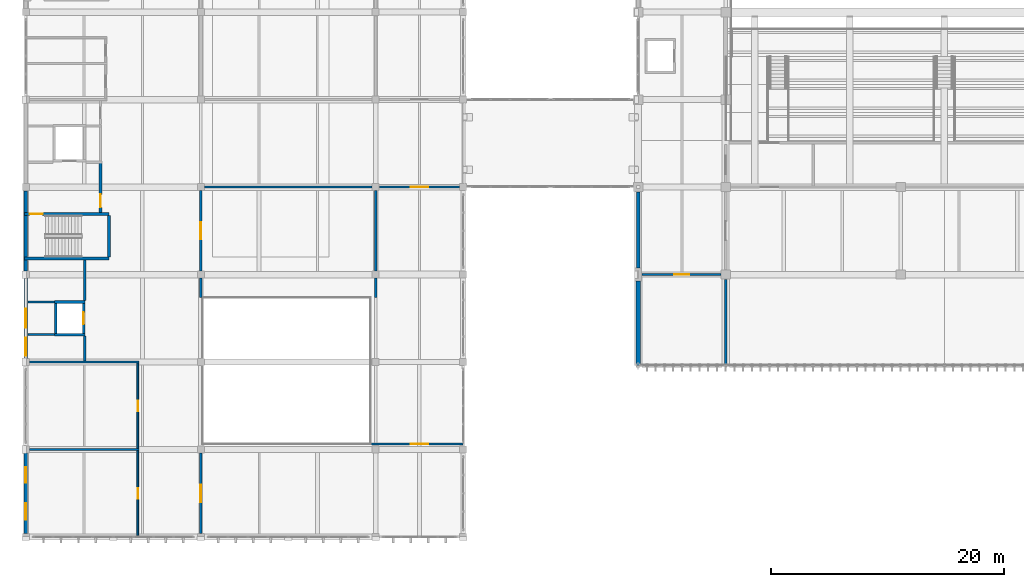
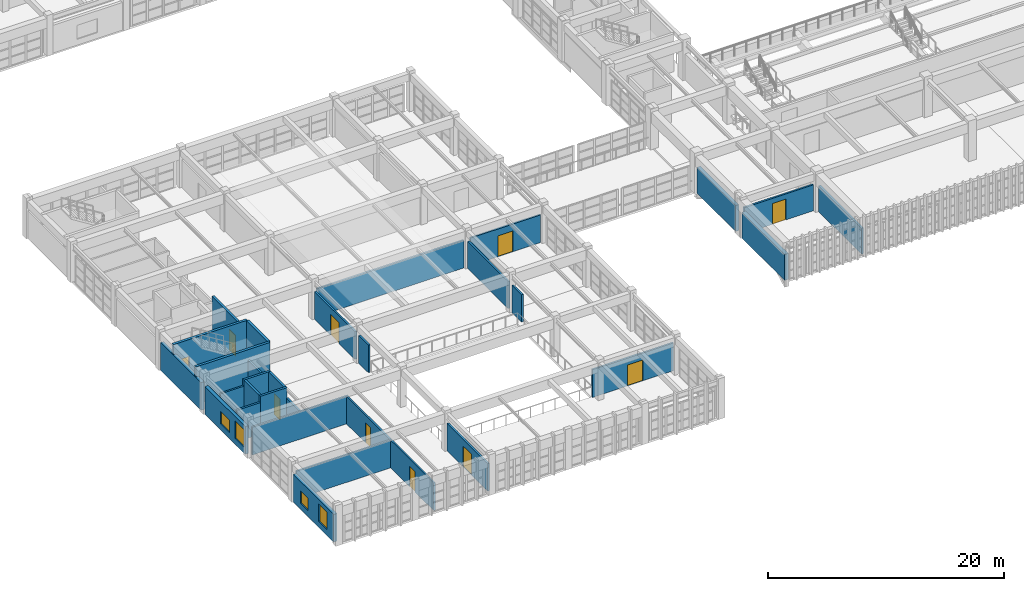
# One storey, part 92 of 124: 31 walls, 10 doors, 4 windows, 14 openings.
"""IFC4 building model written with IfcOpenShell, lengths in metres."""

from ifc_helpers import new_model, si_unit, direction, frame, frame_2d, origin, place, context, subcontext, project, spatial, rectangle, extrude, material, layer, layer_set, type_object, element, fill, save


model = new_model("IFC4")

# Units and contexts
model_context = context("Model", 3, precision=1e-05, world=origin(), true_north=direction((0.0, 1.0)))
body_context = subcontext(model_context, "Body", "Model", "MODEL_VIEW")
ifc_project = project(units=[si_unit("LENGTHUNIT", "METRE"), si_unit("AREAUNIT", "SQUARE_METRE"), si_unit("VOLUMEUNIT", "CUBIC_METRE"), si_unit("PLANEANGLEUNIT", "RADIAN"), si_unit("MASSUNIT", "GRAM", prefix="KILO")], contexts=[model_context])

# Site, building, storey
site_placement = place(None, origin())
site = spatial("IfcSite", under=ifc_project, at=site_placement, CompositionType="ELEMENT")
building_placement = place(site_placement, origin())
building = spatial("IfcBuilding", under=site, at=building_placement, Name="Qasida Concert Hall", CompositionType="ELEMENT")
storey_placement = place(building_placement, frame((0.0, 0.0, 9.0)))
storey = spatial("IfcBuildingStorey", under=building, at=storey_placement, Name="L02", CompositionType="ELEMENT", Elevation=9.0)

# Walls
ifc_material_1 = material(Name="Concrete C40/50", Category="concrete")
ifc_layer_1 = layer(ifc_material_1, 0.219970703125, Name="Concrete C40/50")
ifc_layer_set_1 = layer_set([ifc_layer_1], Name="Concrete C40/50")
wall_type_1 = type_object("IfcWallType", Name="WL-CW-220", PredefinedType="SOLIDWALL", material=ifc_layer_set_1)
for number, where, z_axis, x_axis, name in (
    (1, (2.43994140625, 17.35009765625, 0.0), (0.0, 0.0, 1.0), (1.0, 0.0, 0.0), "L02 LF-05 lift shaft wall S"),
    (2, (2.43994140625, 20.14990234375, 0.0), (0.0, 0.0, 1.0), (1.0, 0.0, 0.0), "L02 LF-05 lift shaft wall N"),
):
    element("IfcWall", number, at=place(storey_placement, frame(where, z_axis=z_axis, x_axis=x_axis)), inside=storey, type_object=wall_type_1, Name=name, PredefinedType="SOLIDWALL", context=body_context, shape_type="SweptSolid", body=[
        extrude(rectangle(XDim=2.6201171875, YDim=0.219970703125, at=frame_2d((1.31005859375, 0.0))), origin(), (0.0, 0.0, 1.0), 3.919921875),
    ])
wall_1_placement = place(storey_placement, frame((2.550048828125, 17.4599609375, 0.0), z_axis=(0.0, 0.0, 1.0), x_axis=(0.0, 1.0, 0.0)))
element("IfcWall", 3, at=wall_1_placement, inside=storey, type_object=wall_type_1, Name="L02 LF-05 lift shaft wall W", PredefinedType="SOLIDWALL", context=body_context, shape_type="SweptSolid", body=[
    extrude(rectangle(XDim=2.580078125, YDim=0.219970703125, at=frame_2d((1.2900390625, 0.0))), origin(), (0.0, 0.0, 1.0), 3.919921875),
])

# Wall, opening, door
wall_2_placement = place(storey_placement, frame((4.949951171875, 17.4599609375, 0.0), z_axis=(0.0, 0.0, 1.0), x_axis=(0.0, 1.0, 0.0)))
wall_2 = element("IfcWall", 4, at=wall_2_placement, inside=storey, type_object=wall_type_1, Name="L02 LF-05 lift shaft wall E", PredefinedType="SOLIDWALL", context=body_context, shape_type="SweptSolid", body=[
    extrude(rectangle(XDim=2.580078125, YDim=0.219970703125, at=frame_2d((1.2900390625, 0.0))), origin(), (0.0, 0.0, 1.0), 3.919921875),
])
opening_1_placement = place(wall_2_placement, frame((0.7900390625, 0.0, 0.0)))
opening_1 = element("IfcOpeningElement", 5, at=opening_1_placement, cuts=wall_2, Name="Opening LD-100", PredefinedType="OPENING", context=body_context, shape_type="SweptSolid", body=[
    extrude(rectangle(XDim=1.0, YDim=2.14990234375, at=frame_2d((0.5, 1.074951171875))), frame((0.0, 0.119873046875, 0.0), z_axis=(0.0, -1.0, 0.0), x_axis=(1.0, 0.0, 0.0)), (0.0, 0.0, 1.0), 0.239990234375),
])
ifc_material_2 = material(Name="Brushed bronze passenger lift landing door", Category="steel")
door_type_1 = type_object("IfcDoorType", Name="LD-100", OperationType="SLIDING_TO_LEFT", PredefinedType="DOOR", material=ifc_material_2)
door_1_placement = place(opening_1_placement, origin())
door_1 = element("IfcDoor", 6, at=door_1_placement, inside=storey, type_object=door_type_1, Name="Lift landing door LF-05 L02", OperationType="SLIDING_TO_LEFT", OverallHeight=2.14990234375, OverallWidth=1.0, PredefinedType="DOOR", context=body_context, shape_type="SweptSolid", body=[
    extrude(rectangle(XDim=1.0, YDim=2.14990234375, at=frame_2d((0.5, 1.074951171875))), frame((0.0, 0.02490234375, 0.0), z_axis=(0.0, -1.0, 0.0), x_axis=(1.0, 0.0, 0.0)), (0.0, 0.0, 1.0), 0.050048828125),
])
fill(opening_1, door_1)

wall_3_placement = place(storey_placement, frame((6.39990234375, 27.820068359375, 0.0), z_axis=(0.0, 0.0, 1.0), x_axis=(0.0, 1.0, 0.0)))
wall_3 = element("IfcWall", 7, at=wall_3_placement, inside=storey, type_object=wall_type_1, Name="L02 LF-06 firefighting lobby wall", PredefinedType="SOLIDWALL", context=body_context, shape_type="SweptSolid", body=[
    extrude(rectangle(XDim=4.309814453125, YDim=0.219970703125, at=frame_2d((2.15478515625, 0.0))), origin(), (0.0, 0.0, 1.0), 3.919921875),
])
opening_2_placement = place(wall_3_placement, frame((0.449951171875, 0.0, 0.0)))
opening_2 = element("IfcOpeningElement", 8, at=opening_2_placement, cuts=wall_3, Name="Opening FD-110", PredefinedType="OPENING", context=body_context, shape_type="SweptSolid", body=[
    extrude(rectangle(XDim=1.10009765625, YDim=2.14990234375, at=frame_2d((0.550048828125, 1.074951171875))), frame((0.0, 0.119873046875, 0.0), z_axis=(0.0, -1.0, 0.0), x_axis=(1.0, 0.0, 0.0)), (0.0, 0.0, 1.0), 0.239990234375),
])
ifc_material_3 = material(Name="Steel fire-rated stair/lobby door set", Category="steel")
door_type_2 = type_object("IfcDoorType", Name="FD-110", OperationType="NOTDEFINED", PredefinedType="DOOR", material=ifc_material_3)
door_2_placement = place(opening_2_placement, origin())
door_2 = element("IfcDoor", 9, at=door_2_placement, inside=storey, type_object=door_type_2, Name="L02 LF-06 firefighting lobby fire door", OperationType="SINGLE_SWING_RIGHT", OverallHeight=2.14990234375, OverallWidth=1.10009765625, PredefinedType="DOOR", context=body_context, shape_type="SweptSolid", body=[
    extrude(rectangle(XDim=1.10009765625, YDim=2.14990234375, at=frame_2d((0.550048828125, 1.074951171875))), frame((0.0, 0.02490234375, 0.0), z_axis=(0.0, -1.0, 0.0), x_axis=(1.0, 0.0, 0.0)), (0.0, 0.0, 1.0), 0.050048828125),
])
fill(opening_2, door_2)

# Wall
ifc_layer_2 = layer(ifc_material_1, 0.25, Name="Concrete C40/50")
ifc_layer_set_2 = layer_set([ifc_layer_2], Name="Concrete C40/50")
wall_type_2 = type_object("IfcWallType", Name="WL-CW-250", PredefinedType="SOLIDWALL", material=ifc_layer_set_2)
wall_4_placement = place(storey_placement, frame((-0.1201171875, 23.875, 0.0), z_axis=(0.0, 0.0, 1.0), x_axis=(1.0, 0.0, 0.0)))
element("IfcWall", 10, at=wall_4_placement, inside=storey, type_object=wall_type_2, Name="L02 ST-03 stairwell wall S", PredefinedType="SOLIDWALL", context=body_context, shape_type="SweptSolid", body=[
    extrude(rectangle(XDim=7.260009765625, YDim=0.25, at=frame_2d((3.6298828125, 0.0))), origin(), (0.0, 0.0, 1.0), 3.919921875),
])

# Wall, opening, door
wall_5_placement = place(storey_placement, frame((-0.1201171875, 27.68505859375, 0.0), z_axis=(0.0, 0.0, 1.0), x_axis=(1.0, 0.0, 0.0)))
wall_5 = element("IfcWall", 11, at=wall_5_placement, inside=storey, type_object=wall_type_2, Name="L02 ST-03 stairwell wall N", PredefinedType="SOLIDWALL", context=body_context, shape_type="SweptSolid", body=[
    extrude(rectangle(XDim=7.260009765625, YDim=0.25, at=frame_2d((3.6298828125, 0.0))), origin(), (0.0, 0.0, 1.0), 3.919921875),
])
opening_3_placement = place(wall_5_placement, frame((0.449951171875, 0.0, 0.0)))
opening_3 = element("IfcOpeningElement", 12, at=opening_3_placement, cuts=wall_5, Name="Opening FD-110", PredefinedType="OPENING", context=body_context, shape_type="SweptSolid", body=[
    extrude(rectangle(XDim=1.10009765625, YDim=2.14990234375, at=frame_2d((0.550048828125, 1.074951171875))), frame((0.0, 0.135009765625, 0.0), z_axis=(0.0, -1.0, 0.0), x_axis=(1.0, 0.0, 0.0)), (0.0, 0.0, 1.0), 0.27001953125),
])
door_3_placement = place(opening_3_placement, origin())
door_3 = element("IfcDoor", 13, at=door_3_placement, inside=storey, type_object=door_type_2, Name="L02 ST-03 rated stair door", OperationType="SINGLE_SWING_RIGHT", OverallHeight=2.14990234375, OverallWidth=1.10009765625, PredefinedType="DOOR", context=body_context, shape_type="SweptSolid", body=[
    extrude(rectangle(XDim=1.10009765625, YDim=2.14990234375, at=frame_2d((0.550048828125, 1.074951171875))), frame((0.0, 0.02490234375, 0.0), z_axis=(0.0, -1.0, 0.0), x_axis=(1.0, 0.0, 0.0)), (0.0, 0.0, 1.0), 0.050048828125),
])
fill(opening_3, door_3)

# Walls
wall_6_placement = place(storey_placement, frame((7.14501953125, 24.0, 0.0), z_axis=(0.0, 0.0, 1.0), x_axis=(0.0, 1.0, 0.0)))
element("IfcWall", 14, at=wall_6_placement, inside=storey, type_object=wall_type_2, Name="L02 ST-03 stairwell wall E", PredefinedType="SOLIDWALL", context=body_context, shape_type="SweptSolid", body=[
    extrude(rectangle(XDim=3.56005859375, YDim=0.25, at=frame_2d((1.780029296875, 0.0))), origin(), (0.0, 0.0, 1.0), 3.919921875),
])
ifc_material_4 = material(Name="Precast concrete C40/50", Category="concrete")
ifc_layer_3 = layer(ifc_material_4, 0.320068359375, Name="Precast concrete C40/50")
ifc_layer_set_3 = layer_set([ifc_layer_3], Name="Precast concrete C40/50")
wall_type_3 = type_object("IfcWallType", Name="WL-EW-320", PredefinedType="SOLIDWALL", material=ifc_layer_set_3)
wall_7_placement = place(storey_placement, frame((52.5, 23.06494140625, 0.0), z_axis=(0.0, 0.0, 1.0), x_axis=(0.0, 1.0, 0.0)))
element("IfcWall", 15, at=wall_7_placement, inside=storey, type_object=wall_type_3, Name="L02 exterior wall EW-320 0046", PredefinedType="SOLIDWALL", context=body_context, shape_type="SweptSolid", body=[
    extrude(rectangle(XDim=6.530029296875, YDim=0.320068359375, at=frame_2d((3.26513671875, 0.0))), origin(), (0.0, 0.0, 1.0), 2.68994140625),
])

# Wall, openings, windows
wall_8_placement = place(storey_placement, frame((0.0, 0.31494140625, 0.0), z_axis=(0.0, 0.0, 1.0), x_axis=(0.0, 1.0, 0.0)))
wall_8 = element("IfcWall", 16, at=wall_8_placement, inside=storey, type_object=wall_type_3, Name="L02 exterior wall EW-320 0128", PredefinedType="SOLIDWALL", context=body_context, shape_type="SweptSolid", body=[
    extrude(rectangle(XDim=6.8701171875, YDim=0.320068359375, at=frame_2d((3.43505859375, 0.0))), origin(), (0.0, 0.0, 1.0), 2.8701171875),
])
opening_4_placement = place(wall_8_placement, frame((1.169921875, 0.0, 0.60009765625)))
opening_4 = element("IfcOpeningElement", 17, at=opening_4_placement, cuts=wall_8, Name="Opening WN-03", PredefinedType="OPENING", context=body_context, shape_type="SweptSolid", body=[
    extrude(rectangle(XDim=1.39990234375, YDim=1.800048828125, at=frame_2d((0.699951171875, 0.89990234375))), frame((0.0, 0.169921875, 0.0), z_axis=(0.0, -1.0, 0.0), x_axis=(1.0, 0.0, 0.0)), (0.0, 0.0, 1.0), 0.340087890625),
])
opening_5_placement = place(wall_8_placement, frame((4.35009765625, 0.0, 0.60009765625)))
opening_5 = element("IfcOpeningElement", 18, at=opening_5_placement, cuts=wall_8, Name="Opening WN-10", PredefinedType="OPENING", context=body_context, shape_type="SweptSolid", body=[
    extrude(rectangle(XDim=1.300048828125, YDim=1.300048828125, at=frame_2d((0.64990234375, 0.64990234375))), frame((0.0, 0.169921875, 0.0), z_axis=(0.0, -1.0, 0.0), x_axis=(1.0, 0.0, 0.0)), (0.0, 0.0, 1.0), 0.340087890625),
])
ifc_material_5 = material(Name="Bronze-anodized aluminium frame with acoustic low-E glazing", Category="aluminium")
window_type_1 = type_object("IfcWindowType", Name="WN-03", PartitioningType="SINGLE_PANEL", PredefinedType="WINDOW", material=ifc_material_5)
window_1_placement = place(opening_4_placement, origin())
window_1 = element("IfcWindow", 19, at=window_1_placement, inside=storey, type_object=window_type_1, Name="L02 window WN-03 0053", OverallHeight=1.800048828125, OverallWidth=1.39990234375, PartitioningType="SINGLE_PANEL", PredefinedType="WINDOW", context=body_context, shape_type="SweptSolid", body=[
    extrude(rectangle(XDim=1.39990234375, YDim=1.800048828125, at=frame_2d((0.699951171875, 0.89990234375))), frame((0.0, 0.030029296875, 0.0), z_axis=(0.0, -1.0, 0.0), x_axis=(1.0, 0.0, 0.0)), (0.0, 0.0, 1.0), 0.06005859375),
])
fill(opening_4, window_1)
window_type_2 = type_object("IfcWindowType", Name="WN-10", PartitioningType="SINGLE_PANEL", PredefinedType="WINDOW", material=ifc_material_5)
window_2_placement = place(opening_5_placement, origin())
window_2 = element("IfcWindow", 20, at=window_2_placement, inside=storey, type_object=window_type_2, Name="L02 window WN-10 0054", OverallHeight=1.300048828125, OverallWidth=1.300048828125, PartitioningType="SINGLE_PANEL", PredefinedType="WINDOW", context=body_context, shape_type="SweptSolid", body=[
    extrude(rectangle(XDim=1.300048828125, YDim=1.300048828125, at=frame_2d((0.64990234375, 0.64990234375))), frame((0.0, 0.030029296875, 0.0), z_axis=(0.0, -1.0, 0.0), x_axis=(1.0, 0.0, 0.0)), (0.0, 0.0, 1.0), 0.06005859375),
])
fill(opening_5, window_2)

wall_9_placement = place(storey_placement, frame((0.0, 15.31494140625, 0.0), z_axis=(0.0, 0.0, 1.0), x_axis=(0.0, 1.0, 0.0)))
wall_9 = element("IfcWall", 21, at=wall_9_placement, inside=storey, type_object=wall_type_3, Name="L02 exterior wall EW-320 0129", PredefinedType="SOLIDWALL", context=body_context, shape_type="SweptSolid", body=[
    extrude(rectangle(XDim=6.8701171875, YDim=0.320068359375, at=frame_2d((3.43505859375, 0.0))), origin(), (0.0, 0.0, 1.0), 2.8701171875),
])
opening_6_placement = place(wall_9_placement, frame((0.2275390625, 0.0, 0.60009765625)))
opening_6 = element("IfcOpeningElement", 22, at=opening_6_placement, cuts=wall_9, Name="Opening WN-04", PredefinedType="OPENING", context=body_context, shape_type="SweptSolid", body=[
    extrude(rectangle(XDim=1.550048828125, YDim=1.800048828125, at=frame_2d((0.77490234375, 0.89990234375))), frame((0.0, 0.169921875, 0.0), z_axis=(0.0, -1.0, 0.0), x_axis=(1.0, 0.0, 0.0)), (0.0, 0.0, 1.0), 0.340087890625),
])
opening_7_placement = place(wall_9_placement, frame((2.635009765625, 0.0, 0.60009765625)))
opening_7 = element("IfcOpeningElement", 23, at=opening_7_placement, cuts=wall_9, Name="Opening WN-12", PredefinedType="OPENING", context=body_context, shape_type="SweptSolid", body=[
    extrude(rectangle(XDim=1.60009765625, YDim=1.300048828125, at=frame_2d((0.800048828125, 0.64990234375))), frame((0.0, 0.169921875, 0.0), z_axis=(0.0, -1.0, 0.0), x_axis=(1.0, 0.0, 0.0)), (0.0, 0.0, 1.0), 0.340087890625),
])
window_type_3 = type_object("IfcWindowType", Name="WN-04", PartitioningType="SINGLE_PANEL", PredefinedType="WINDOW", material=ifc_material_5)
window_3_placement = place(opening_6_placement, origin())
window_3 = element("IfcWindow", 24, at=window_3_placement, inside=storey, type_object=window_type_3, Name="L02 window WN-05 0055", OverallHeight=1.800048828125, OverallWidth=1.550048828125, PartitioningType="SINGLE_PANEL", PredefinedType="WINDOW", context=body_context, shape_type="SweptSolid", body=[
    extrude(rectangle(XDim=1.550048828125, YDim=1.800048828125, at=frame_2d((0.77490234375, 0.89990234375))), frame((0.0, 0.030029296875, 0.0), z_axis=(0.0, -1.0, 0.0), x_axis=(1.0, 0.0, 0.0)), (0.0, 0.0, 1.0), 0.06005859375),
])
fill(opening_6, window_3)
window_type_4 = type_object("IfcWindowType", Name="WN-12", PartitioningType="SINGLE_PANEL", PredefinedType="WINDOW", material=ifc_material_5)
window_4_placement = place(opening_7_placement, origin())
window_4 = element("IfcWindow", 25, at=window_4_placement, inside=storey, type_object=window_type_4, Name="L02 window WN-12 0056", OverallHeight=1.300048828125, OverallWidth=1.60009765625, PartitioningType="SINGLE_PANEL", PredefinedType="WINDOW", context=body_context, shape_type="SweptSolid", body=[
    extrude(rectangle(XDim=1.60009765625, YDim=1.300048828125, at=frame_2d((0.800048828125, 0.64990234375))), frame((0.0, 0.030029296875, 0.0), z_axis=(0.0, -1.0, 0.0), x_axis=(1.0, 0.0, 0.0)), (0.0, 0.0, 1.0), 0.06005859375),
])
fill(opening_7, window_4)

# Walls
wall_10_placement = place(storey_placement, frame((0.0, 22.81494140625, 0.0), z_axis=(0.0, 0.0, 1.0), x_axis=(0.0, 1.0, 0.0)))
element("IfcWall", 26, at=wall_10_placement, inside=storey, type_object=wall_type_3, Name="L02 exterior wall EW-320 0130", PredefinedType="SOLIDWALL", context=body_context, shape_type="SweptSolid", body=[
    extrude(rectangle(XDim=6.8701171875, YDim=0.320068359375, at=frame_2d((3.43505859375, 0.0))), origin(), (0.0, 0.0, 1.0), 2.8701171875),
])
ifc_layer_4 = layer(ifc_material_4, 0.360107421875, Name="Precast concrete C40/50")
ifc_layer_set_4 = layer_set([ifc_layer_4], Name="Precast concrete C40/50")
wall_type_4 = type_object("IfcWallType", Name="WL-EW-360", PredefinedType="SOLIDWALL", material=ifc_layer_set_4)
wall_11_placement = place(storey_placement, frame((52.5, 14.699951171875, 0.0), z_axis=(0.0, 0.0, 1.0), x_axis=(0.0, 1.0, 0.0)))
element("IfcWall", 27, at=wall_11_placement, inside=storey, type_object=wall_type_4, Name="L02 exterior wall EW-360 0008", PredefinedType="SOLIDWALL", context=body_context, shape_type="SweptSolid", body=[
    extrude(rectangle(XDim=7.235107421875, YDim=0.360107421875, at=frame_2d((3.61767578125, 0.0))), origin(), (0.0, 0.0, 1.0), 2.68994140625),
])
ifc_material_6 = material(Name="Moisture-resistant gypsum partition", Category="gypsum")
ifc_layer_5 = layer(ifc_material_6, 0.159912109375, Name="Moisture-resistant gypsum partition")
ifc_layer_set_5 = layer_set([ifc_layer_5], Name="Moisture-resistant gypsum partition")
wall_type_5 = type_object("IfcWallType", Name="WL-PW-160", PredefinedType="PARTITIONING", material=ifc_layer_set_5)
for number, where, z_axis, x_axis, name in (
    (28, (0.31396484375, 7.5, 0.0), (0.0, 0.0, 1.0), (1.0, 0.0, 0.0), "L02 partition PW-160 0075"),
    (29, (0.31396484375, 15.0, 0.0), (0.0, 0.0, 1.0), (1.0, 0.0, 0.0), "L02 partition PW-160 0076"),
):
    element("IfcWall", number, at=place(storey_placement, frame(where, z_axis=z_axis, x_axis=x_axis)), inside=storey, type_object=wall_type_5, Name=name, PredefinedType="PARTITIONING", context=body_context, shape_type="SweptSolid", body=[
        extrude(rectangle(XDim=9.385986328125, YDim=0.159912109375, at=frame_2d((4.69287109375, 0.0))), origin(), (0.0, 0.0, 1.0), 2.8701171875),
    ])

# Wall, opening, door
wall_12_placement = place(storey_placement, frame((9.60009765625, 0.112060546875, 0.0), z_axis=(0.0, 0.0, 1.0), x_axis=(0.0, 1.0, 0.0)))
wall_12 = element("IfcWall", 30, at=wall_12_placement, inside=storey, type_object=wall_type_5, Name="L02 partition PW-160 0077", PredefinedType="PARTITIONING", context=body_context, shape_type="SweptSolid", body=[
    extrude(rectangle(XDim=7.2939453125, YDim=0.159912109375, at=frame_2d((3.64697265625, 0.0))), origin(), (0.0, 0.0, 1.0), 2.8701171875),
])
opening_8_placement = place(wall_12_placement, frame((3.18798828125, 0.0, 0.0)))
opening_8 = element("IfcOpeningElement", 31, at=opening_8_placement, cuts=wall_12, Name="Opening ID-090", PredefinedType="OPENING", context=body_context, shape_type="SweptSolid", body=[
    extrude(rectangle(XDim=0.89990234375, YDim=2.10009765625, at=frame_2d((0.449951171875, 1.050048828125))), frame((0.0, 0.08984375, 0.0), z_axis=(0.0, -1.0, 0.0), x_axis=(1.0, 0.0, 0.0)), (0.0, 0.0, 1.0), 0.179931640625),
])
ifc_material_7 = material(Name="Quarter-sawn oak flush room door", Category="wood")
door_type_3 = type_object("IfcDoorType", Name="ID-090", OperationType="NOTDEFINED", PredefinedType="DOOR", material=ifc_material_7)
door_4_placement = place(opening_8_placement, origin())
door_4 = element("IfcDoor", 32, at=door_4_placement, inside=storey, type_object=door_type_3, Name="L02 Male restroom door", OperationType="SINGLE_SWING_LEFT", OverallHeight=2.10009765625, OverallWidth=0.89990234375, PredefinedType="DOOR", context=body_context, shape_type="SweptSolid", body=[
    extrude(rectangle(XDim=0.89990234375, YDim=2.10009765625, at=frame_2d((0.449951171875, 1.050048828125))), frame((0.0, 0.02490234375, 0.0), z_axis=(0.0, -1.0, 0.0), x_axis=(1.0, 0.0, 0.0)), (0.0, 0.0, 1.0), 0.050048828125),
])
fill(opening_8, door_4)

wall_13_placement = place(storey_placement, frame((9.60009765625, 7.593994140625, 0.0), z_axis=(0.0, 0.0, 1.0), x_axis=(0.0, 1.0, 0.0)))
wall_13 = element("IfcWall", 33, at=wall_13_placement, inside=storey, type_object=wall_type_5, Name="L02 partition PW-160 0078", PredefinedType="PARTITIONING", context=body_context, shape_type="SweptSolid", body=[
    extrude(rectangle(XDim=7.31201171875, YDim=0.159912109375, at=frame_2d((3.656005859375, 0.0))), origin(), (0.0, 0.0, 1.0), 2.8701171875),
])
opening_9_placement = place(wall_13_placement, frame((3.2060546875, 0.0, 0.0)))
opening_9 = element("IfcOpeningElement", 34, at=opening_9_placement, cuts=wall_13, Name="Opening ID-090", PredefinedType="OPENING", context=body_context, shape_type="SweptSolid", body=[
    extrude(rectangle(XDim=0.89990234375, YDim=2.10009765625, at=frame_2d((0.449951171875, 1.050048828125))), frame((0.0, 0.08984375, 0.0), z_axis=(0.0, -1.0, 0.0), x_axis=(1.0, 0.0, 0.0)), (0.0, 0.0, 1.0), 0.179931640625),
])
door_5_placement = place(opening_9_placement, origin())
door_5 = element("IfcDoor", 35, at=door_5_placement, inside=storey, type_object=door_type_3, Name="L02 Female restroom door", OperationType="SINGLE_SWING_RIGHT", OverallHeight=2.10009765625, OverallWidth=0.89990234375, PredefinedType="DOOR", context=body_context, shape_type="SweptSolid", body=[
    extrude(rectangle(XDim=0.89990234375, YDim=2.10009765625, at=frame_2d((0.449951171875, 1.050048828125))), frame((0.0, 0.02490234375, 0.0), z_axis=(0.0, -1.0, 0.0), x_axis=(1.0, 0.0, 0.0)), (0.0, 0.0, 1.0), 0.050048828125),
])
fill(opening_9, door_5)

# Walls
ifc_material_8 = material(Name="Acoustic metal-stud gypsum partition", Category="gypsum")
ifc_layer_6 = layer(ifc_material_8, 0.179931640625, Name="Acoustic metal-stud gypsum partition")
ifc_layer_set_6 = layer_set([ifc_layer_6], Name="Acoustic metal-stud gypsum partition")
wall_type_6 = type_object("IfcWallType", Name="WL-PW-180", PredefinedType="PARTITIONING", material=ifc_layer_set_6)
for number, where, z_axis, x_axis, name in (
    (36, (0.174072265625, 17.35009765625, 0.0), (0.0, 0.0, 1.0), (1.0, 0.0, 0.0), "L02 partition PW-180 0096"),
    (37, (0.174072265625, 20.14990234375, 0.0), (0.0, 0.0, 1.0), (1.0, 0.0, 0.0), "L02 partition PW-180 0097"),
):
    element("IfcWall", number, at=place(storey_placement, frame(where, z_axis=z_axis, x_axis=x_axis)), inside=storey, type_object=wall_type_6, Name=name, PredefinedType="PARTITIONING", context=body_context, shape_type="SweptSolid", body=[
        extrude(rectangle(XDim=2.265869140625, YDim=0.179931640625, at=frame_2d((1.1328125, 0.0))), origin(), (0.0, 0.0, 1.0), 3.27001953125),
    ])
wall_14_placement = place(storey_placement, frame((5.050048828125, 15.093994140625, 0.0), z_axis=(0.0, 0.0, 1.0), x_axis=(0.0, 1.0, 0.0)))
element("IfcWall", 38, at=wall_14_placement, inside=storey, type_object=wall_type_6, Name="L02 partition PW-180 0098", PredefinedType="PARTITIONING", context=body_context, shape_type="SweptSolid", body=[
    extrude(rectangle(XDim=2.132080078125, YDim=0.179931640625, at=frame_2d((1.06591796875, 0.0))), origin(), (0.0, 0.0, 1.0), 2.8701171875),
])
wall_15_placement = place(storey_placement, frame((5.050048828125, 20.27392578125, 0.0), z_axis=(0.0, 0.0, 1.0), x_axis=(0.0, 1.0, 0.0)))
element("IfcWall", 39, at=wall_15_placement, inside=storey, type_object=wall_type_6, Name="L02 partition PW-180 0099", PredefinedType="PARTITIONING", context=body_context, shape_type="SweptSolid", body=[
    extrude(rectangle(XDim=3.462158203125, YDim=0.179931640625, at=frame_2d((1.73095703125, 0.0))), origin(), (0.0, 0.0, 1.0), 2.8701171875),
])

# Wall, opening, door
wall_16_placement = place(storey_placement, frame((29.5400390625, 7.9599609375, 0.0), z_axis=(0.0, 0.0, 1.0), x_axis=(1.0, 0.0, 0.0)))
wall_16 = element("IfcWall", 40, at=wall_16_placement, inside=storey, type_object=wall_type_6, Name="L02 partition PW-180 0201", PredefinedType="PARTITIONING", context=body_context, shape_type="SweptSolid", body=[
    extrude(rectangle(XDim=7.9599609375, YDim=0.179931640625, at=frame_2d((3.97998046875, 0.0))), origin(), (0.0, 0.0, 1.0), 2.8701171875),
])
opening_10_placement = place(wall_16_placement, frame((3.4599609375, 0.0, 0.0)))
opening_10 = element("IfcOpeningElement", 41, at=opening_10_placement, cuts=wall_16, Name="Opening ID-150", PredefinedType="OPENING", context=body_context, shape_type="SweptSolid", body=[
    extrude(rectangle(XDim=1.5, YDim=2.159912109375, at=frame_2d((0.75, 1.080078125))), frame((0.0, 0.099853515625, 0.0), z_axis=(0.0, -1.0, 0.0), x_axis=(1.0, 0.0, 0.0)), (0.0, 0.0, 1.0), 0.199951171875),
])
ifc_material_9 = material(Name="Bronze-framed glazed foyer door", Category="aluminium")
door_type_4 = type_object("IfcDoorType", Name="ID-150", OperationType="NOTDEFINED", PredefinedType="DOOR", material=ifc_material_9)
door_6_placement = place(opening_10_placement, origin())
door_6 = element("IfcDoor", 42, at=door_6_placement, inside=storey, type_object=door_type_4, Name="L02 L02 east atrium gallery south door", OperationType="SINGLE_SWING_RIGHT", OverallHeight=2.159912109375, OverallWidth=1.5, PredefinedType="DOOR", context=body_context, shape_type="SweptSolid", body=[
    extrude(rectangle(XDim=1.5, YDim=2.159912109375, at=frame_2d((0.75, 1.080078125))), frame((0.0, 0.02490234375, 0.0), z_axis=(0.0, -1.0, 0.0), x_axis=(1.0, 0.0, 0.0)), (0.0, 0.0, 1.0), 0.050048828125),
])
fill(opening_10, door_6)

# Wall
wall_17_placement = place(storey_placement, frame((15.31396484375, 30.0, 0.0), z_axis=(0.0, 0.0, 1.0), x_axis=(1.0, 0.0, 0.0)))
element("IfcWall", 43, at=wall_17_placement, inside=storey, type_object=wall_type_6, Name="L02 partition PW-180 0202", PredefinedType="PARTITIONING", context=body_context, shape_type="SweptSolid", body=[
    extrude(rectangle(XDim=14.3720703125, YDim=0.179931640625, at=frame_2d((7.18603515625, 0.0))), origin(), (0.0, 0.0, 1.0), 2.8701171875),
])

# Wall, opening, door
wall_18_placement = place(storey_placement, frame((30.31396484375, 30.0, 0.0), z_axis=(0.0, 0.0, 1.0), x_axis=(1.0, 0.0, 0.0)))
wall_18 = element("IfcWall", 44, at=wall_18_placement, inside=storey, type_object=wall_type_6, Name="L02 partition PW-180 0203", PredefinedType="PARTITIONING", context=body_context, shape_type="SweptSolid", body=[
    extrude(rectangle(XDim=6.8720703125, YDim=0.179931640625, at=frame_2d((3.43603515625, 0.0))), origin(), (0.0, 0.0, 1.0), 2.8701171875),
])
opening_11_placement = place(wall_18_placement, frame((2.68603515625, 0.0, 0.0)))
opening_11 = element("IfcOpeningElement", 45, at=opening_11_placement, cuts=wall_18, Name="Opening ID-150", PredefinedType="OPENING", context=body_context, shape_type="SweptSolid", body=[
    extrude(rectangle(XDim=1.5, YDim=2.159912109375, at=frame_2d((0.75, 1.080078125))), frame((0.0, 0.099853515625, 0.0), z_axis=(0.0, -1.0, 0.0), x_axis=(1.0, 0.0, 0.0)), (0.0, 0.0, 1.0), 0.199951171875),
])
door_7_placement = place(opening_11_placement, origin())
door_7 = element("IfcDoor", 46, at=door_7_placement, inside=storey, type_object=door_type_4, Name="L02 L02 east gallery north door", OperationType="SINGLE_SWING_LEFT", OverallHeight=2.159912109375, OverallWidth=1.5, PredefinedType="DOOR", context=body_context, shape_type="SweptSolid", body=[
    extrude(rectangle(XDim=1.5, YDim=2.159912109375, at=frame_2d((0.75, 1.080078125))), frame((0.0, 0.02490234375, 0.0), z_axis=(0.0, -1.0, 0.0), x_axis=(1.0, 0.0, 0.0)), (0.0, 0.0, 1.0), 0.050048828125),
])
fill(opening_11, door_7)

# Walls
wall_19_placement = place(storey_placement, frame((30.0, 20.5400390625, 0.0), z_axis=(0.0, 0.0, 1.0), x_axis=(0.0, 1.0, 0.0)))
element("IfcWall", 47, at=wall_19_placement, inside=storey, type_object=wall_type_6, Name="L02 partition PW-180 0206", PredefinedType="PARTITIONING", context=body_context, shape_type="SweptSolid", body=[
    extrude(rectangle(XDim=1.64599609375, YDim=0.179931640625, at=frame_2d((0.822998046875, 0.0))), origin(), (0.0, 0.0, 1.0), 2.820068359375),
])
wall_20_placement = place(storey_placement, frame((30.0, 22.81396484375, 0.0), z_axis=(0.0, 0.0, 1.0), x_axis=(0.0, 1.0, 0.0)))
element("IfcWall", 48, at=wall_20_placement, inside=storey, type_object=wall_type_6, Name="L02 partition PW-180 0207", PredefinedType="PARTITIONING", context=body_context, shape_type="SweptSolid", body=[
    extrude(rectangle(XDim=6.8720703125, YDim=0.179931640625, at=frame_2d((3.43603515625, 0.0))), origin(), (0.0, 0.0, 1.0), 2.820068359375),
])

# Wall, opening, door
wall_21_placement = place(storey_placement, frame((15.0, 0.31396484375, 0.0), z_axis=(0.0, 0.0, 1.0), x_axis=(0.0, 1.0, 0.0)))
wall_21 = element("IfcWall", 49, at=wall_21_placement, inside=storey, type_object=wall_type_6, Name="L02 partition PW-180 0210", PredefinedType="PARTITIONING", context=body_context, shape_type="SweptSolid", body=[
    extrude(rectangle(XDim=6.8720703125, YDim=0.179931640625, at=frame_2d((3.43603515625, 0.0))), origin(), (0.0, 0.0, 1.0), 2.8701171875),
])
opening_12_placement = place(wall_21_placement, frame((2.68603515625, 0.0, 0.0)))
opening_12 = element("IfcOpeningElement", 50, at=opening_12_placement, cuts=wall_21, Name="Opening ID-150", PredefinedType="OPENING", context=body_context, shape_type="SweptSolid", body=[
    extrude(rectangle(XDim=1.5, YDim=2.159912109375, at=frame_2d((0.75, 1.080078125))), frame((0.0, 0.099853515625, 0.0), z_axis=(0.0, -1.0, 0.0), x_axis=(1.0, 0.0, 0.0)), (0.0, 0.0, 1.0), 0.199951171875),
])
door_8_placement = place(opening_12_placement, origin())
door_8 = element("IfcDoor", 51, at=door_8_placement, inside=storey, type_object=door_type_4, Name="L02 First circle overlook door", OperationType="SINGLE_SWING_LEFT", OverallHeight=2.159912109375, OverallWidth=1.5, PredefinedType="DOOR", context=body_context, shape_type="SweptSolid", body=[
    extrude(rectangle(XDim=1.5, YDim=2.159912109375, at=frame_2d((0.75, 1.080078125))), frame((0.0, 0.02490234375, 0.0), z_axis=(0.0, -1.0, 0.0), x_axis=(1.0, 0.0, 0.0)), (0.0, 0.0, 1.0), 0.050048828125),
])
fill(opening_12, door_8)

# Wall
wall_22_placement = place(storey_placement, frame((15.0, 20.5400390625, 0.0), z_axis=(0.0, 0.0, 1.0), x_axis=(0.0, 1.0, 0.0)))
element("IfcWall", 52, at=wall_22_placement, inside=storey, type_object=wall_type_6, Name="L02 partition PW-180 0211", PredefinedType="PARTITIONING", context=body_context, shape_type="SweptSolid", body=[
    extrude(rectangle(XDim=1.64599609375, YDim=0.179931640625, at=frame_2d((0.822998046875, 0.0))), origin(), (0.0, 0.0, 1.0), 2.8701171875),
])

# Wall, opening, door
wall_23_placement = place(storey_placement, frame((15.0, 22.81396484375, 0.0), z_axis=(0.0, 0.0, 1.0), x_axis=(0.0, 1.0, 0.0)))
wall_23 = element("IfcWall", 53, at=wall_23_placement, inside=storey, type_object=wall_type_6, Name="L02 partition PW-180 0212", PredefinedType="PARTITIONING", context=body_context, shape_type="SweptSolid", body=[
    extrude(rectangle(XDim=6.8720703125, YDim=0.179931640625, at=frame_2d((3.43603515625, 0.0))), origin(), (0.0, 0.0, 1.0), 2.8701171875),
])
opening_13_placement = place(wall_23_placement, frame((2.7109375, 0.0, 0.0)))
opening_13 = element("IfcOpeningElement", 54, at=opening_13_placement, cuts=wall_23, Name="Opening ID-145", PredefinedType="OPENING", context=body_context, shape_type="SweptSolid", body=[
    extrude(rectangle(XDim=1.449951171875, YDim=2.14990234375, at=frame_2d((0.72509765625, 1.074951171875))), frame((0.0, 0.099853515625, 0.0), z_axis=(0.0, -1.0, 0.0), x_axis=(1.0, 0.0, 0.0)), (0.0, 0.0, 1.0), 0.199951171875),
])
ifc_material_10 = material(Name="Bronze-framed glazed education door", Category="aluminium")
door_type_5 = type_object("IfcDoorType", Name="ID-145", OperationType="NOTDEFINED", PredefinedType="DOOR", material=ifc_material_10)
door_9_placement = place(opening_13_placement, origin())
door_9 = element("IfcDoor", 55, at=door_9_placement, inside=storey, type_object=door_type_5, Name="L02 Education room 1 door", OperationType="SINGLE_SWING_RIGHT", OverallHeight=2.14990234375, OverallWidth=1.449951171875, PredefinedType="DOOR", context=body_context, shape_type="SweptSolid", body=[
    extrude(rectangle(XDim=1.449951171875, YDim=2.14990234375, at=frame_2d((0.72509765625, 1.074951171875))), frame((0.0, 0.02490234375, 0.0), z_axis=(0.0, -1.0, 0.0), x_axis=(1.0, 0.0, 0.0)), (0.0, 0.0, 1.0), 0.050048828125),
])
fill(opening_13, door_9)

wall_24_placement = place(storey_placement, frame((52.81396484375, 22.5, 0.0), z_axis=(0.0, 0.0, 1.0), x_axis=(1.0, 0.0, 0.0)))
wall_24 = element("IfcWall", 56, at=wall_24_placement, inside=storey, type_object=wall_type_6, Name="L02 partition PW-180 0459", PredefinedType="PARTITIONING", context=body_context, shape_type="SweptSolid", body=[
    extrude(rectangle(XDim=6.77197265625, YDim=0.179931640625, at=frame_2d((3.385986328125, 0.0))), origin(), (0.0, 0.0, 1.0), 2.68994140625),
])
opening_14_placement = place(wall_24_placement, frame((2.785888671875, 0.0, 0.0)))
opening_14 = element("IfcOpeningElement", 57, at=opening_14_placement, cuts=wall_24, Name="Opening ID-130", PredefinedType="OPENING", context=body_context, shape_type="SweptSolid", body=[
    extrude(rectangle(XDim=1.300048828125, YDim=2.14990234375, at=frame_2d((0.64990234375, 1.074951171875))), frame((0.0, 0.099853515625, 0.0), z_axis=(0.0, -1.0, 0.0), x_axis=(1.0, 0.0, 0.0)), (0.0, 0.0, 1.0), 0.199951171875),
])
ifc_material_11 = material(Name="Bronze-framed glazed salon door", Category="aluminium")
door_type_6 = type_object("IfcDoorType", Name="ID-130", OperationType="NOTDEFINED", PredefinedType="DOOR", material=ifc_material_11)
door_10_placement = place(opening_14_placement, origin())
door_10 = element("IfcDoor", 58, at=door_10_placement, inside=storey, type_object=door_type_6, Name="L02 L02 west south salon door", OperationType="SINGLE_SWING_RIGHT", OverallHeight=2.14990234375, OverallWidth=1.300048828125, PredefinedType="DOOR", context=body_context, shape_type="SweptSolid", body=[
    extrude(rectangle(XDim=1.300048828125, YDim=2.14990234375, at=frame_2d((0.64990234375, 1.074951171875))), frame((0.0, 0.02490234375, 0.0), z_axis=(0.0, -1.0, 0.0), x_axis=(1.0, 0.0, 0.0)), (0.0, 0.0, 1.0), 0.050048828125),
])
fill(opening_14, door_10)

# Wall
ifc_material_12 = material(Name="Acoustic gypsum block and mineral wool", Category="gypsum")
ifc_layer_7 = layer(ifc_material_12, 0.199951171875, Name="Acoustic gypsum block and mineral wool")
ifc_layer_set_7 = layer_set([ifc_layer_7], Name="Acoustic gypsum block and mineral wool")
wall_type_7 = type_object("IfcWallType", Name="WL-PW-200", PredefinedType="PARTITIONING", material=ifc_layer_set_7)
wall_25_placement = place(storey_placement, frame((60.0, 14.820068359375, 0.0), z_axis=(0.0, 0.0, 1.0), x_axis=(0.0, 1.0, 0.0)))
element("IfcWall", 59, at=wall_25_placement, inside=storey, type_object=wall_type_7, Name="L02 partition PW-200 0467", PredefinedType="PARTITIONING", context=body_context, shape_type="SweptSolid", body=[
    extrude(rectangle(XDim=7.265869140625, YDim=0.199951171875, at=frame_2d((3.6328125, 0.0))), origin(), (0.0, 0.0, 1.0), 2.68994140625),
])

save(model, "model.ifc")
